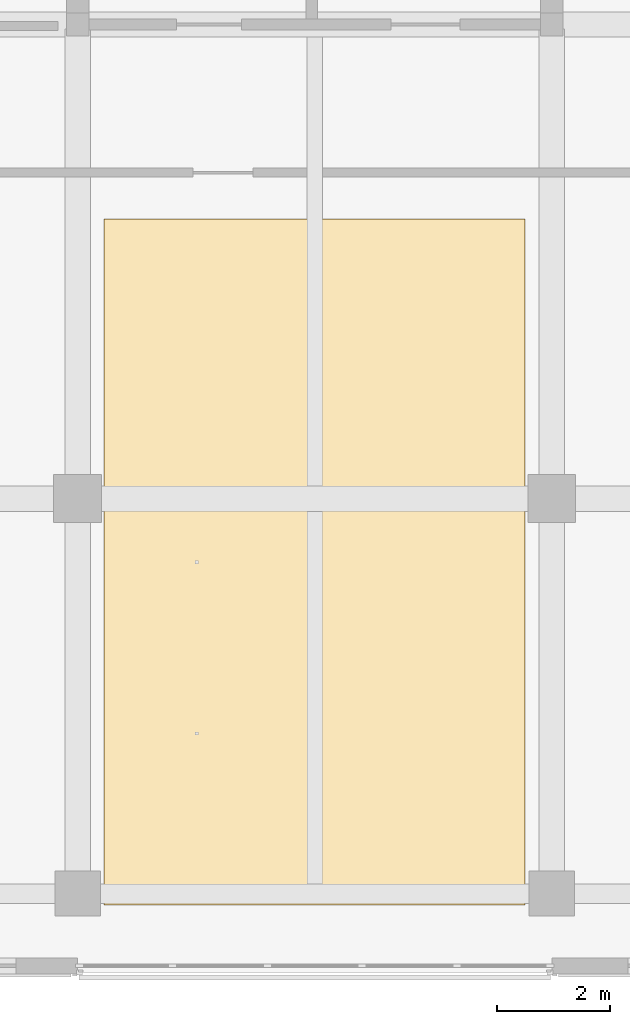
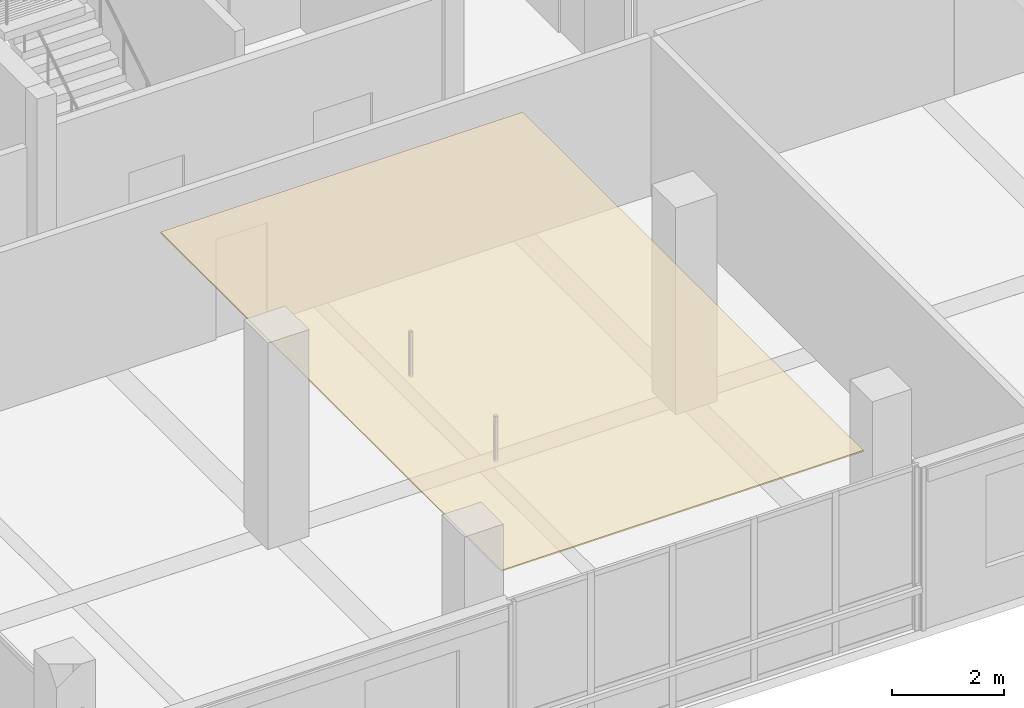
# One storey, part 22 of 36: 1 covering.
"""IFC4 building model written with IfcOpenShell, lengths in metres."""

from ifc_helpers import new_model, si_unit, direction, frame, origin, place, context, subcontext, project, spatial, polyline, outline, extrude, material, layer, layer_set, type_object, element, save


model = new_model("IFC4")

# Units and contexts
model_context = context("Model", 3, precision=1e-05, world=origin(), true_north=direction((0.0, 1.0)))
body_context = subcontext(model_context, "Body", "Model", "MODEL_VIEW")
ifc_project = project(units=[si_unit("LENGTHUNIT", "METRE"), si_unit("AREAUNIT", "SQUARE_METRE"), si_unit("VOLUMEUNIT", "CUBIC_METRE"), si_unit("PLANEANGLEUNIT", "RADIAN"), si_unit("MASSUNIT", "GRAM", prefix="KILO")], contexts=[model_context])

# Site, building, storey
site_placement = place(None, origin())
site = spatial("IfcSite", under=ifc_project, at=site_placement, CompositionType="ELEMENT")
building_placement = place(site_placement, origin())
building = spatial("IfcBuilding", under=site, at=building_placement, Name="Telukmera Botanical Conservatory", CompositionType="ELEMENT")
storey_placement = place(building_placement, frame((0.0, 0.0, 33.0)))
storey = spatial("IfcBuildingStorey", under=building, at=storey_placement, Name="L07", CompositionType="ELEMENT", Elevation=33.0)

# Covering
ifc_material = material(Name="Mineral fibre acoustic ceiling")
ifc_layer = layer(ifc_material, 0.030029296875)
ifc_layer_set = layer_set([ifc_layer], Name="Mineral fibre acoustic ceiling")
covering_type = type_object("IfcCoveringType", Name="COV-CEIL-30", PredefinedType="CEILING", material=ifc_layer_set)
covering_placement = place(storey_placement, frame((0.0, 0.0, 3.320068359375)))
element("IfcCovering", 1, at=covering_placement, inside=storey, type_object=covering_type, Name="L07 Bioinformatics Laboratory Suspended Acoustic Ceiling", PredefinedType="CEILING", context=body_context, shape_type="SweptSolid", body=[
    extrude(outline(polyline([(59.27001953125, 10.39990234375), (66.72998046875, 10.39990234375), (66.72998046875, 22.550048828125), (59.27001953125, 22.550048828125), (59.27001953125, 10.39990234375)])), origin(), (0.0, 0.0, 1.0), 0.030029296875),
])

save(model, "model.ifc")
